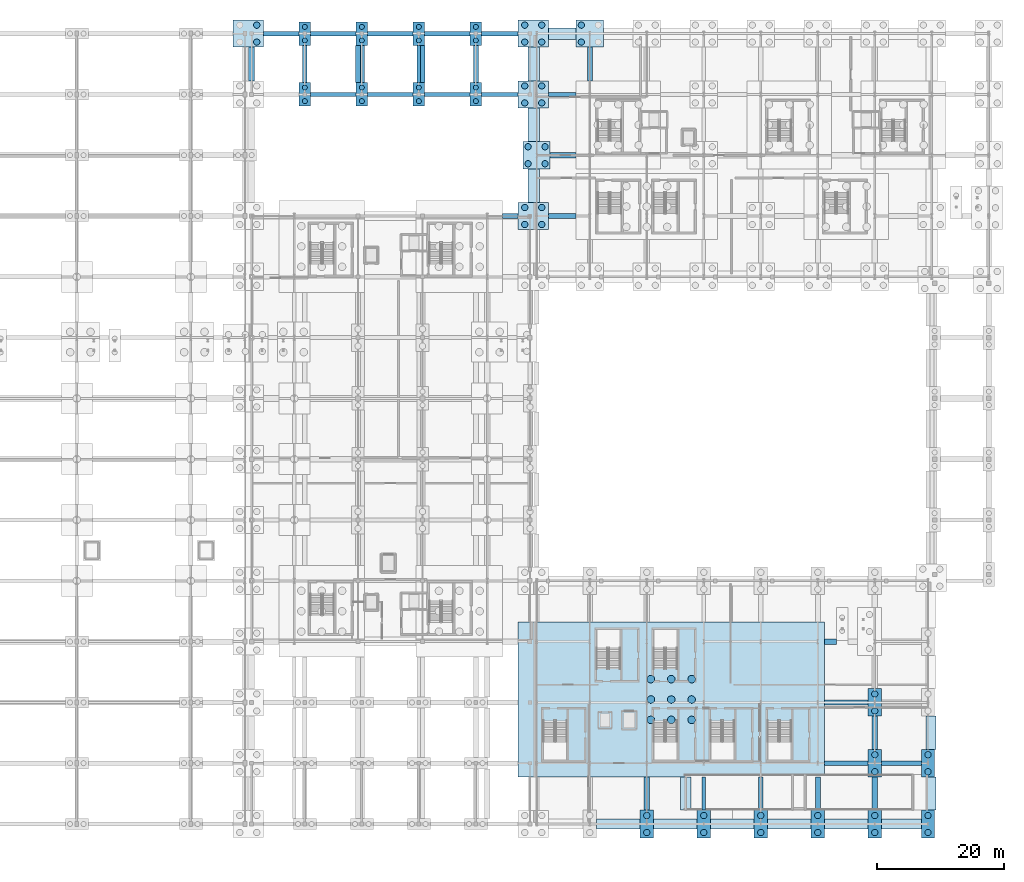
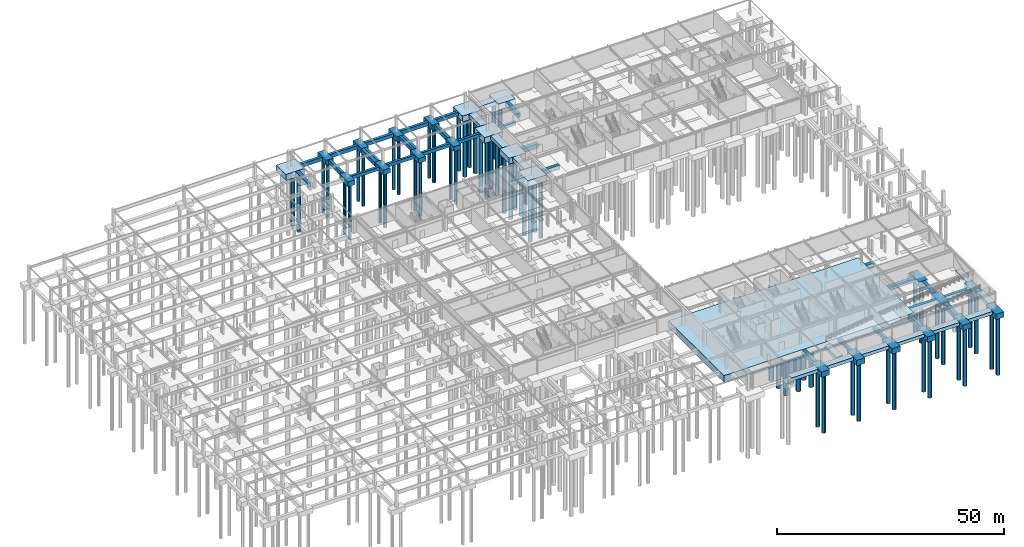
# One storey, part 7 of 59: 68 footings, 63 piles.
"""IFC4 building model written with IfcOpenShell, lengths in metres."""

from ifc_helpers import new_model, si_unit, direction, frame, origin, origin_2d, place, context, subcontext, project, spatial, rectangle, circle, extrude, material, material_profile, profile_set, type_object, element, save


model = new_model("IFC4")

# Units and contexts
model_context = context("Model", 3, precision=1e-05, world=origin(), true_north=direction((0.0, 1.0)))
body_context = subcontext(model_context, "Body", "Model", "MODEL_VIEW")
ifc_project = project(units=[si_unit("LENGTHUNIT", "METRE"), si_unit("AREAUNIT", "SQUARE_METRE"), si_unit("VOLUMEUNIT", "CUBIC_METRE"), si_unit("PLANEANGLEUNIT", "RADIAN"), si_unit("MASSUNIT", "GRAM", prefix="KILO")], contexts=[model_context])

# Site, building, storey
site_placement = place(None, origin())
site = spatial("IfcSite", under=ifc_project, at=site_placement, CompositionType="ELEMENT")
building_placement = place(site_placement, origin())
building = spatial("IfcBuilding", under=site, at=building_placement, Name="Myrtia Square Station", CompositionType="ELEMENT")
storey_placement = place(building_placement, frame((0.0, 0.0, -4.5)))
storey = spatial("IfcBuildingStorey", under=building, at=storey_placement, Name="B01", CompositionType="ELEMENT", Elevation=-4.5)

# Footings
ifc_material = material(Name="Concrete C35/45", Category="concrete")
ifc_material_profile_1 = material_profile(ifc_material, rectangle(XDim=0.60009765625, YDim=0.89990234375, at=origin_2d()), Name="FB 600x900")
ifc_profile_set_1 = profile_set([ifc_material_profile_1], Name="Concrete C35/45")
footing_type_1 = type_object("IfcFootingType", Name="FBM-600x900", PredefinedType="FOOTING_BEAM", material=ifc_profile_set_1)
for number, where, z_axis, x_axis, name in (
    (1, (81.919921875, 115.199951171875, -0.449951171875), (1.0, 0.0, 0.0), (0.0, 1.0, 0.0), "Seismic foundation tie beam X-0136"),
    (2, (90.919921875, 115.199951171875, -0.449951171875), (1.0, 0.0, 0.0), (0.0, 1.0, 0.0), "Seismic foundation tie beam X-0137"),
    (3, (99.919921875, 115.199951171875, -0.449951171875), (1.0, 0.0, 0.0), (0.0, 1.0, 0.0), "Seismic foundation tie beam X-0138"),
):
    element("IfcFooting", number, at=place(storey_placement, frame(where, z_axis=z_axis, x_axis=x_axis)), inside=storey, type_object=footing_type_1, Name=name, PredefinedType="FOOTING_BEAM", context=body_context, shape_type="SweptSolid", body=[
        extrude(rectangle(XDim=0.60009765625, YDim=0.89990234375, at=origin_2d()), origin(), (0.0, 0.0, 1.0), 7.16015625),
    ])
footing_1_placement = place(storey_placement, frame((108.919921875, 115.199951171875, -0.449951171875), z_axis=(1.0, 0.0, 0.0), x_axis=(0.0, 1.0, 0.0)))
element("IfcFooting", 4, at=footing_1_placement, inside=storey, type_object=footing_type_1, Name="Seismic foundation tie beam X-0139", PredefinedType="FOOTING_BEAM", context=body_context, shape_type="SweptSolid", body=[
    extrude(rectangle(XDim=0.60009765625, YDim=0.89990234375, at=origin_2d()), origin(), (0.0, 0.0, 1.0), 5.755126953125),
])
footing_2_placement = place(storey_placement, frame((119.47509765625, 115.199951171875, -0.449951171875), z_axis=(1.0, 0.0, 0.0), x_axis=(0.0, 1.0, 0.0)))
element("IfcFooting", 5, at=footing_2_placement, inside=storey, type_object=footing_type_1, Name="Seismic foundation tie beam X-0140", PredefinedType="FOOTING_BEAM", context=body_context, shape_type="SweptSolid", body=[
    extrude(rectangle(XDim=0.60009765625, YDim=0.89990234375, at=origin_2d()), origin(), (0.0, 0.0, 1.0), 4.375),
])
footing_3_placement = place(storey_placement, frame((99.0, 117.06005859375, -0.449951171875), z_axis=(0.0, 1.0, 0.0), x_axis=(-1.0, 0.0, 0.0)))
element("IfcFooting", 6, at=footing_3_placement, inside=storey, type_object=footing_type_1, Name="Seismic foundation tie beam Y-0270", PredefinedType="FOOTING_BEAM", context=body_context, shape_type="SweptSolid", body=[
    extrude(rectangle(XDim=0.60009765625, YDim=0.89990234375, at=origin_2d()), origin(), (0.0, 0.0, 1.0), 5.8798828125),
])
footing_4_placement = place(storey_placement, frame((144.0, 2.179931640625, -0.449951171875), z_axis=(0.0, 1.0, 0.0), x_axis=(-1.0, 0.0, 0.0)))
element("IfcFooting", 7, at=footing_4_placement, inside=storey, type_object=footing_type_1, Name="Seismic foundation tie beam Y-0315", PredefinedType="FOOTING_BEAM", context=body_context, shape_type="SweptSolid", body=[
    extrude(rectangle(XDim=0.60009765625, YDim=0.89990234375, at=origin_2d()), origin(), (0.0, 0.0, 1.0), 5.239990234375),
])
ifc_material_profile_2 = material_profile(ifc_material, rectangle(XDim=0.699951171875, YDim=1.0, at=origin_2d()), Name="FB 700x1000")
ifc_profile_set_2 = profile_set([ifc_material_profile_2], Name="Concrete C35/45")
footing_type_2 = type_object("IfcFootingType", Name="FBM-700x1000", PredefinedType="FOOTING_BEAM", material=ifc_profile_set_2)
footing_5_placement = place(storey_placement, frame((163.050048828125, 9.60009765625, -0.5), z_axis=(1.0, 0.0, 0.0), x_axis=(0.0, 1.0, 0.0)))
element("IfcFooting", 8, at=footing_5_placement, inside=storey, type_object=footing_type_2, Name="Seismic foundation tie beam X-0019", PredefinedType="FOOTING_BEAM", context=body_context, shape_type="SweptSolid", body=[
    extrude(rectangle(XDim=0.699951171875, YDim=1.0, at=origin_2d()), origin(), (0.0, 0.0, 1.0), 6.89990234375),
])
footing_6_placement = place(storey_placement, frame((172.050048828125, 9.60009765625, -0.5), z_axis=(1.0, 0.0, 0.0), x_axis=(0.0, 1.0, 0.0)))
element("IfcFooting", 9, at=footing_6_placement, inside=storey, type_object=footing_type_2, Name="Seismic foundation tie beam X-0020", PredefinedType="FOOTING_BEAM", context=body_context, shape_type="SweptSolid", body=[
    extrude(rectangle(XDim=0.699951171875, YDim=1.0, at=origin_2d()), origin(), (0.0, 0.0, 1.0), 6.300048828125),
])
footing_7_placement = place(storey_placement, frame((74.47509765625, 124.800048828125, -0.5), z_axis=(1.0, 0.0, 0.0), x_axis=(0.0, 1.0, 0.0)))
element("IfcFooting", 10, at=footing_7_placement, inside=storey, type_object=footing_type_2, Name="Seismic foundation tie beam X-0148", PredefinedType="FOOTING_BEAM", context=body_context, shape_type="SweptSolid", body=[
    extrude(rectangle(XDim=0.699951171875, YDim=1.0, at=origin_2d()), origin(), (0.0, 0.0, 1.0), 5.60498046875),
])
for number, where, z_axis, x_axis, name in (
    (11, (81.919921875, 124.800048828125, -0.5), (1.0, 0.0, 0.0), (0.0, 1.0, 0.0), "Seismic foundation tie beam X-0149"),
    (12, (90.919921875, 124.800048828125, -0.5), (1.0, 0.0, 0.0), (0.0, 1.0, 0.0), "Seismic foundation tie beam X-0150"),
    (13, (99.919921875, 124.800048828125, -0.5), (1.0, 0.0, 0.0), (0.0, 1.0, 0.0), "Seismic foundation tie beam X-0151"),
):
    element("IfcFooting", number, at=place(storey_placement, frame(where, z_axis=z_axis, x_axis=x_axis)), inside=storey, type_object=footing_type_2, Name=name, PredefinedType="FOOTING_BEAM", context=body_context, shape_type="SweptSolid", body=[
        extrude(rectangle(XDim=0.699951171875, YDim=1.0, at=origin_2d()), origin(), (0.0, 0.0, 1.0), 7.16015625),
    ])
footing_8_placement = place(storey_placement, frame((108.919921875, 124.800048828125, -0.5), z_axis=(1.0, 0.0, 0.0), x_axis=(0.0, 1.0, 0.0)))
element("IfcFooting", 14, at=footing_8_placement, inside=storey, type_object=footing_type_2, Name="Seismic foundation tie beam X-0152", PredefinedType="FOOTING_BEAM", context=body_context, shape_type="SweptSolid", body=[
    extrude(rectangle(XDim=0.699951171875, YDim=1.0, at=origin_2d()), origin(), (0.0, 0.0, 1.0), 5.755126953125),
])
for number, where, z_axis, x_axis, name in (
    (15, (81.0, 117.06005859375, -0.5), (0.0, 1.0, 0.0), (-1.0, 0.0, 0.0), "Seismic foundation tie beam Y-0243"),
    (16, (99.60009765625, 117.06005859375, -0.5), (0.0, 1.0, 0.0), (-1.0, 0.0, 0.0), "Seismic foundation tie beam Y-0279"),
):
    element("IfcFooting", number, at=place(storey_placement, frame(where, z_axis=z_axis, x_axis=x_axis)), inside=storey, type_object=footing_type_2, Name=name, PredefinedType="FOOTING_BEAM", context=body_context, shape_type="SweptSolid", body=[
        extrude(rectangle(XDim=0.699951171875, YDim=1.0, at=origin_2d()), origin(), (0.0, 0.0, 1.0), 5.8798828125),
    ])
footing_9_placement = place(storey_placement, frame((153.0, 2.179931640625, -0.5), z_axis=(0.0, 1.0, 0.0), x_axis=(-1.0, 0.0, 0.0)))
element("IfcFooting", 17, at=footing_9_placement, inside=storey, type_object=footing_type_2, Name="Seismic foundation tie beam Y-0320", PredefinedType="FOOTING_BEAM", context=body_context, shape_type="SweptSolid", body=[
    extrude(rectangle(XDim=0.699951171875, YDim=1.0, at=origin_2d()), origin(), (0.0, 0.0, 1.0), 5.239990234375),
])
ifc_material_profile_3 = material_profile(ifc_material, rectangle(XDim=0.800048828125, YDim=1.10009765625, at=origin_2d()), Name="FB 800x1100")
ifc_profile_set_3 = profile_set([ifc_material_profile_3], Name="Concrete C35/45")
footing_type_3 = type_object("IfcFootingType", Name="FBM-800x1100", PredefinedType="FOOTING_BEAM", material=ifc_profile_set_3)
footing_10_placement = place(storey_placement, frame((163.050048828125, 19.199951171875, -0.550048828125), z_axis=(1.0, 0.0, 0.0), x_axis=(0.0, 1.0, 0.0)))
element("IfcFooting", 18, at=footing_10_placement, inside=storey, type_object=footing_type_3, Name="Seismic foundation tie beam X-0031", PredefinedType="FOOTING_BEAM", context=body_context, shape_type="SweptSolid", body=[
    extrude(rectangle(XDim=0.800048828125, YDim=1.10009765625, at=origin_2d()), origin(), (0.0, 0.0, 1.0), 6.89990234375),
])
footing_11_placement = place(storey_placement, frame((112.25, 96.0, -0.550048828125), z_axis=(1.0, 0.0, 0.0), x_axis=(0.0, 1.0, 0.0)))
element("IfcFooting", 19, at=footing_11_placement, inside=storey, type_object=footing_type_3, Name="Seismic foundation tie beam X-0114", PredefinedType="FOOTING_BEAM", context=body_context, shape_type="SweptSolid", body=[
    extrude(rectangle(XDim=0.800048828125, YDim=1.10009765625, at=origin_2d()), origin(), (0.0, 0.0, 1.0), 2.425048828125),
])
footing_12_placement = place(storey_placement, frame((119.47509765625, 96.0, -0.550048828125), z_axis=(1.0, 0.0, 0.0), x_axis=(0.0, 1.0, 0.0)))
element("IfcFooting", 20, at=footing_12_placement, inside=storey, type_object=footing_type_3, Name="Seismic foundation tie beam X-0115", PredefinedType="FOOTING_BEAM", context=body_context, shape_type="SweptSolid", body=[
    extrude(rectangle(XDim=0.800048828125, YDim=1.10009765625, at=origin_2d()), origin(), (0.0, 0.0, 1.0), 4.375),
])
for number, where, z_axis, x_axis, name in (
    (21, (89.39990234375, 117.06005859375, -0.550048828125), (0.0, 1.0, 0.0), (-1.0, 0.0, 0.0), "Seismic foundation tie beam Y-0252"),
    (22, (108.0, 117.06005859375, -0.550048828125), (0.0, 1.0, 0.0), (-1.0, 0.0, 0.0), "Seismic foundation tie beam Y-0288"),
):
    element("IfcFooting", number, at=place(storey_placement, frame(where, z_axis=z_axis, x_axis=x_axis)), inside=storey, type_object=footing_type_3, Name=name, PredefinedType="FOOTING_BEAM", context=body_context, shape_type="SweptSolid", body=[
        extrude(rectangle(XDim=0.800048828125, YDim=1.10009765625, at=origin_2d()), origin(), (0.0, 0.0, 1.0), 5.8798828125),
    ])
footing_13_placement = place(storey_placement, frame((126.0, 117.35009765625, -0.550048828125), z_axis=(0.0, 1.0, 0.0), x_axis=(-1.0, 0.0, 0.0)))
element("IfcFooting", 23, at=footing_13_placement, inside=storey, type_object=footing_type_3, Name="Seismic foundation tie beam Y-0310", PredefinedType="FOOTING_BEAM", context=body_context, shape_type="SweptSolid", body=[
    extrude(rectangle(XDim=0.800048828125, YDim=1.10009765625, at=origin_2d()), origin(), (0.0, 0.0, 1.0), 5.2998046875),
])
footing_14_placement = place(storey_placement, frame((162.0, 2.179931640625, -0.550048828125), z_axis=(0.0, 1.0, 0.0), x_axis=(-1.0, 0.0, 0.0)))
element("IfcFooting", 24, at=footing_14_placement, inside=storey, type_object=footing_type_3, Name="Seismic foundation tie beam Y-0325", PredefinedType="FOOTING_BEAM", context=body_context, shape_type="SweptSolid", body=[
    extrude(rectangle(XDim=0.800048828125, YDim=1.10009765625, at=origin_2d()), origin(), (0.0, 0.0, 1.0), 5.239990234375),
])
ifc_material_profile_4 = material_profile(ifc_material, rectangle(XDim=0.89990234375, YDim=1.199951171875, at=origin_2d()), Name="FB 900x1200")
ifc_profile_set_4 = profile_set([ifc_material_profile_4], Name="Concrete C35/45")
footing_type_4 = type_object("IfcFootingType", Name="FBM-900x1200", PredefinedType="FOOTING_BEAM", material=ifc_profile_set_4)
footing_15_placement = place(storey_placement, frame((163.050048828125, 28.800048828125, -0.60009765625), z_axis=(1.0, 0.0, 0.0), x_axis=(0.0, 1.0, 0.0)))
element("IfcFooting", 25, at=footing_15_placement, inside=storey, type_object=footing_type_4, Name="Seismic foundation tie beam X-0040", PredefinedType="FOOTING_BEAM", context=body_context, shape_type="SweptSolid", body=[
    extrude(rectangle(XDim=0.89990234375, YDim=1.199951171875, at=origin_2d()), origin(), (0.0, 0.0, 1.0), 1.8798828125),
])
footing_16_placement = place(storey_placement, frame((119.75, 105.60009765625, -0.60009765625), z_axis=(1.0, 0.0, 0.0), x_axis=(0.0, 1.0, 0.0)))
element("IfcFooting", 26, at=footing_16_placement, inside=storey, type_object=footing_type_4, Name="Seismic foundation tie beam X-0125", PredefinedType="FOOTING_BEAM", context=body_context, shape_type="SweptSolid", body=[
    extrude(rectangle(XDim=0.89990234375, YDim=1.199951171875, at=origin_2d()), origin(), (0.0, 0.0, 1.0), 4.10009765625),
])
footing_17_placement = place(storey_placement, frame((72.60009765625, 117.35009765625, -0.60009765625), z_axis=(0.0, 1.0, 0.0), x_axis=(-1.0, 0.0, 0.0)))
element("IfcFooting", 27, at=footing_17_placement, inside=storey, type_object=footing_type_4, Name="Seismic foundation tie beam Y-0226", PredefinedType="FOOTING_BEAM", context=body_context, shape_type="SweptSolid", body=[
    extrude(rectangle(XDim=0.89990234375, YDim=1.199951171875, at=origin_2d()), origin(), (0.0, 0.0, 1.0), 5.2998046875),
])
footing_18_placement = place(storey_placement, frame((90.0, 117.06005859375, -0.60009765625), z_axis=(0.0, 1.0, 0.0), x_axis=(-1.0, 0.0, 0.0)))
element("IfcFooting", 28, at=footing_18_placement, inside=storey, type_object=footing_type_4, Name="Seismic foundation tie beam Y-0261", PredefinedType="FOOTING_BEAM", context=body_context, shape_type="SweptSolid", body=[
    extrude(rectangle(XDim=0.89990234375, YDim=1.199951171875, at=origin_2d()), origin(), (0.0, 0.0, 1.0), 5.8798828125),
])
for number, where, z_axis, x_axis, name in (
    (29, (135.0, 2.179931640625, -0.60009765625), (0.0, 1.0, 0.0), (-1.0, 0.0, 0.0), "Seismic foundation tie beam Y-0311"),
    (30, (171.0, 2.179931640625, -0.60009765625), (0.0, 1.0, 0.0), (-1.0, 0.0, 0.0), "Seismic foundation tie beam Y-0329"),
    (31, (171.0, 11.780029296875, -0.60009765625), (0.0, 1.0, 0.0), (-1.0, 0.0, 0.0), "Seismic foundation tie beam Y-0330"),
):
    element("IfcFooting", number, at=place(storey_placement, frame(where, z_axis=z_axis, x_axis=x_axis)), inside=storey, type_object=footing_type_4, Name=name, PredefinedType="FOOTING_BEAM", context=body_context, shape_type="SweptSolid", body=[
        extrude(rectangle(XDim=0.89990234375, YDim=1.199951171875, at=origin_2d()), origin(), (0.0, 0.0, 1.0), 5.239990234375),
    ])
footing_type_5 = type_object("IfcFootingType", Name="FCAP-184x372x130", PredefinedType="PILE_CAP", material=ifc_material)
for number, where, z_axis, x_axis, name in (
    (32, (81.0, 115.199951171875, -1.2998046875), (0.0, 0.0, 1.0), (1.0, 0.0, 0.0), "Reinforced concrete pile cap CAP-L2Y-200"),
    (33, (81.0, 124.800048828125, -1.2998046875), (0.0, 0.0, 1.0), (1.0, 0.0, 0.0), "Reinforced concrete pile cap CAP-L2Y-201"),
    (34, (90.0, 115.199951171875, -1.2998046875), (0.0, 0.0, 1.0), (1.0, 0.0, 0.0), "Reinforced concrete pile cap CAP-L2Y-202"),
    (35, (90.0, 124.800048828125, -1.2998046875), (0.0, 0.0, 1.0), (1.0, 0.0, 0.0), "Reinforced concrete pile cap CAP-L2Y-203"),
    (36, (99.0, 115.199951171875, -1.2998046875), (0.0, 0.0, 1.0), (1.0, 0.0, 0.0), "Reinforced concrete pile cap CAP-L2Y-204"),
    (37, (99.0, 124.800048828125, -1.2998046875), (0.0, 0.0, 1.0), (1.0, 0.0, 0.0), "Reinforced concrete pile cap CAP-L2Y-205"),
    (38, (108.0, 115.199951171875, -1.2998046875), (0.0, 0.0, 1.0), (1.0, 0.0, 0.0), "Reinforced concrete pile cap CAP-L2Y-206"),
    (39, (108.0, 124.800048828125, -1.2998046875), (0.0, 0.0, 1.0), (1.0, 0.0, 0.0), "Reinforced concrete pile cap CAP-L2Y-207"),
):
    element("IfcFooting", number, at=place(storey_placement, frame(where, z_axis=z_axis, x_axis=x_axis)), inside=storey, type_object=footing_type_5, Name=name, PredefinedType="PILE_CAP", context=body_context, shape_type="SweptSolid", body=[
        extrude(rectangle(XDim=1.840087890625, YDim=3.719970703125, at=origin_2d()), origin(), (0.0, 0.0, 1.0), 1.300048828125),
    ])
footing_type_6 = type_object("IfcFootingType", Name="FCAP-210x436x145", PredefinedType="PILE_CAP", material=ifc_material)
for number, where, z_axis, x_axis, name in (
    (40, (135.0, 0.0, -1.4501953125), (0.0, 0.0, 1.0), (1.0, 0.0, 0.0), "Reinforced concrete pile cap CAP-M2Y-168"),
    (41, (144.0, 0.0, -1.4501953125), (0.0, 0.0, 1.0), (1.0, 0.0, 0.0), "Reinforced concrete pile cap CAP-M2Y-173"),
    (42, (153.0, 0.0, -1.4501953125), (0.0, 0.0, 1.0), (1.0, 0.0, 0.0), "Reinforced concrete pile cap CAP-M2Y-178"),
    (43, (162.0, 0.0, -1.4501953125), (0.0, 0.0, 1.0), (1.0, 0.0, 0.0), "Reinforced concrete pile cap CAP-M2Y-183"),
    (44, (171.0, 0.0, -1.4501953125), (0.0, 0.0, 1.0), (1.0, 0.0, 0.0), "Reinforced concrete pile cap CAP-M2Y-188"),
    (45, (171.0, 9.60009765625, -1.4501953125), (0.0, 0.0, 1.0), (1.0, 0.0, 0.0), "Reinforced concrete pile cap CAP-M2Y-189"),
    (46, (171.0, 19.199951171875, -1.4501953125), (0.0, 0.0, 1.0), (1.0, 0.0, 0.0), "Reinforced concrete pile cap CAP-M2Y-190"),
    (47, (179.39990234375, 0.0, -1.4501953125), (0.0, 0.0, 1.0), (1.0, 0.0, 0.0), "Reinforced concrete pile cap CAP-M2Y-193"),
    (48, (179.39990234375, 9.60009765625, -1.4501953125), (0.0, 0.0, 1.0), (1.0, 0.0, 0.0), "Reinforced concrete pile cap CAP-M2Y-194"),
):
    element("IfcFooting", number, at=place(storey_placement, frame(where, z_axis=z_axis, x_axis=x_axis)), inside=storey, type_object=footing_type_6, Name=name, PredefinedType="PILE_CAP", context=body_context, shape_type="SweptSolid", body=[
        extrude(rectangle(XDim=2.10009765625, YDim=4.360107421875, at=origin_2d()), origin(), (0.0, 0.0, 1.0), 1.449951171875),
    ])
footing_type_7 = type_object("IfcFootingType", Name="FCAP-430x430x155", PredefinedType="PILE_CAP", material=ifc_material)
for number, where, z_axis, x_axis, name in (
    (49, (117.60009765625, 105.60009765625, -1.5498046875), (0.0, 0.0, 1.0), (1.0, 0.0, 0.0), "Reinforced concrete pile cap CAP-M4-212"),
    (50, (126.0, 124.800048828125, -1.5498046875), (0.0, 0.0, 1.0), (1.0, 0.0, 0.0), "Reinforced concrete pile cap CAP-M4-219"),
):
    element("IfcFooting", number, at=place(storey_placement, frame(where, z_axis=z_axis, x_axis=x_axis)), inside=storey, type_object=footing_type_7, Name=name, PredefinedType="PILE_CAP", context=body_context, shape_type="SweptSolid", body=[
        extrude(rectangle(XDim=4.300048828125, YDim=4.300048828125, at=origin_2d()), origin(), (0.0, 0.0, 1.0), 1.550048828125),
    ])
footing_type_8 = type_object("IfcFootingType", Name="FCAP-480x430x160", PredefinedType="PILE_CAP", material=ifc_material)
for number, where, z_axis, x_axis, name in (
    (51, (72.074951171875, 124.800048828125, -1.60009765625), (0.0, 0.0, 1.0), (1.0, 0.0, 0.0), "Reinforced concrete pile cap CAP-JT-079"),
    (52, (117.074951171875, 96.0, -1.60009765625), (0.0, 0.0, 1.0), (1.0, 0.0, 0.0), "Reinforced concrete pile cap CAP-JT-109"),
    (53, (117.074951171875, 115.199951171875, -1.60009765625), (0.0, 0.0, 1.0), (1.0, 0.0, 0.0), "Reinforced concrete pile cap CAP-JT-208"),
    (54, (117.074951171875, 124.800048828125, -1.60009765625), (0.0, 0.0, 1.0), (1.0, 0.0, 0.0), "Reinforced concrete pile cap CAP-JT-209"),
):
    element("IfcFooting", number, at=place(storey_placement, frame(where, z_axis=z_axis, x_axis=x_axis)), inside=storey, type_object=footing_type_8, Name=name, PredefinedType="PILE_CAP", context=body_context, shape_type="SweptSolid", body=[
        extrude(rectangle(XDim=4.800048828125, YDim=4.300048828125, at=origin_2d()), origin(), (0.0, 0.0, 1.0), 1.60009765625),
    ])
footing_type_9 = type_object("IfcFootingType", Name="FCAP-4838x2448x180", PredefinedType="PILE_CAP", material=ifc_material)
footing_19_placement = place(storey_placement, frame((138.862548828125, 19.659912109375, -1.7998046875), z_axis=(0.0, 0.0, 1.0), x_axis=(1.0, 0.0, 0.0)))
element("IfcFooting", 55, at=footing_19_placement, inside=storey, type_object=footing_type_9, Name="Reinforced concrete pile cap CAP-CORE-K5", PredefinedType="PILE_CAP", context=body_context, shape_type="SweptSolid", body=[
    extrude(rectangle(XDim=48.375, YDim=24.47998046875, at=origin_2d()), origin(), (0.0, 0.0, 1.0), 1.800048828125),
])
footing_type_10 = type_object("IfcFootingType", Name="PAD-1600x900", PredefinedType="PAD_FOOTING", material=ifc_material)
footing_20_placement = place(storey_placement, frame((141.14990234375, 4.800048828125, -1.800048828125), z_axis=(0.0, 0.0, 1.0), x_axis=(1.0, 0.0, 0.0)))
element("IfcFooting", 56, at=footing_20_placement, inside=storey, type_object=footing_type_10, Name="Vehicle ramp VR1 toe foundation", PredefinedType="PAD_FOOTING", context=body_context, shape_type="SweptSolid", body=[
    extrude(rectangle(XDim=1.60009765625, YDim=5.219970703125, at=origin_2d()), origin(), (0.0, 0.0, 1.0), 0.89990234375),
])

# Piles
ifc_material_profile_5 = material_profile(ifc_material, circle(Radius=0.5, at=origin_2d()), Name="BP D1000")
ifc_profile_set_5 = profile_set([ifc_material_profile_5], Name="Concrete C35/45")
pile_type_1 = type_object("IfcPileType", Name="PIL-BP1000", PredefinedType="BORED", material=ifc_profile_set_5)
for number, where, z_axis, x_axis, name in (
    (57, (73.4150390625, 123.4599609375, -1.5), (0.0, 0.0, -1.0), (1.0, 0.0, 0.0), "Bored pile 0265"),
    (58, (73.4150390625, 126.139892578125, -1.5), (0.0, 0.0, -1.0), (1.0, 0.0, 0.0), "Bored pile 0266"),
    (59, (115.735107421875, 94.659912109375, -1.5), (0.0, 0.0, -1.0), (1.0, 0.0, 0.0), "Bored pile 0297"),
    (60, (115.735107421875, 97.340087890625, -1.5), (0.0, 0.0, -1.0), (1.0, 0.0, 0.0), "Bored pile 0298"),
    (61, (118.4150390625, 94.659912109375, -1.5), (0.0, 0.0, -1.0), (1.0, 0.0, 0.0), "Bored pile 0299"),
    (62, (118.4150390625, 97.340087890625, -1.5), (0.0, 0.0, -1.0), (1.0, 0.0, 0.0), "Bored pile 0300"),
):
    element("IfcPile", number, at=place(storey_placement, frame(where, z_axis=z_axis, x_axis=x_axis)), inside=storey, type_object=pile_type_1, Name=name, PredefinedType="BORED", context=body_context, shape_type="SweptSolid", body=[
        extrude(circle(Radius=0.5, at=origin_2d()), origin(), (0.0, 0.0, 1.0), 15.5),
    ])
for number, where, z_axis, x_axis, name in (
    (63, (135.0, -1.340087890625, -1.35009765625), (0.0, 0.0, -1.0), (1.0, 0.0, 0.0), "Bored pile 0379"),
    (64, (135.0, 1.340087890625, -1.35009765625), (0.0, 0.0, -1.0), (1.0, 0.0, 0.0), "Bored pile 0380"),
    (65, (144.0, -1.340087890625, -1.35009765625), (0.0, 0.0, -1.0), (1.0, 0.0, 0.0), "Bored pile 0383"),
    (66, (144.0, 1.340087890625, -1.35009765625), (0.0, 0.0, -1.0), (1.0, 0.0, 0.0), "Bored pile 0384"),
    (67, (153.0, -1.340087890625, -1.35009765625), (0.0, 0.0, -1.0), (1.0, 0.0, 0.0), "Bored pile 0387"),
    (68, (153.0, 1.340087890625, -1.35009765625), (0.0, 0.0, -1.0), (1.0, 0.0, 0.0), "Bored pile 0388"),
    (69, (162.0, -1.340087890625, -1.35009765625), (0.0, 0.0, -1.0), (1.0, 0.0, 0.0), "Bored pile 0391"),
    (70, (162.0, 1.340087890625, -1.35009765625), (0.0, 0.0, -1.0), (1.0, 0.0, 0.0), "Bored pile 0392"),
    (71, (171.0, -1.340087890625, -1.35009765625), (0.0, 0.0, -1.0), (1.0, 0.0, 0.0), "Bored pile 0395"),
    (72, (171.0, 1.340087890625, -1.35009765625), (0.0, 0.0, -1.0), (1.0, 0.0, 0.0), "Bored pile 0396"),
    (73, (171.0, 8.260009765625, -1.35009765625), (0.0, 0.0, -1.0), (1.0, 0.0, 0.0), "Bored pile 0397"),
    (74, (171.0, 10.93994140625, -1.35009765625), (0.0, 0.0, -1.0), (1.0, 0.0, 0.0), "Bored pile 0398"),
    (75, (171.0, 17.860107421875, -1.35009765625), (0.0, 0.0, -1.0), (1.0, 0.0, 0.0), "Bored pile 0399"),
    (76, (171.0, 20.5400390625, -1.35009765625), (0.0, 0.0, -1.0), (1.0, 0.0, 0.0), "Bored pile 0400"),
    (77, (179.39990234375, -1.340087890625, -1.35009765625), (0.0, 0.0, -1.0), (1.0, 0.0, 0.0), "Bored pile 0406"),
    (78, (179.39990234375, 1.340087890625, -1.35009765625), (0.0, 0.0, -1.0), (1.0, 0.0, 0.0), "Bored pile 0407"),
    (79, (179.39990234375, 8.260009765625, -1.35009765625), (0.0, 0.0, -1.0), (1.0, 0.0, 0.0), "Bored pile 0408"),
    (80, (179.39990234375, 10.93994140625, -1.35009765625), (0.0, 0.0, -1.0), (1.0, 0.0, 0.0), "Bored pile 0409"),
):
    element("IfcPile", number, at=place(storey_placement, frame(where, z_axis=z_axis, x_axis=x_axis)), inside=storey, type_object=pile_type_1, Name=name, PredefinedType="BORED", context=body_context, shape_type="SweptSolid", body=[
        extrude(circle(Radius=0.5, at=origin_2d()), origin(), (0.0, 0.0, 1.0), 15.64990234375),
    ])
for number, where, z_axis, x_axis, name in (
    (81, (115.735107421875, 113.860107421875, -1.5), (0.0, 0.0, -1.0), (1.0, 0.0, 0.0), "Bored pile 0430"),
    (82, (115.735107421875, 116.5400390625, -1.5), (0.0, 0.0, -1.0), (1.0, 0.0, 0.0), "Bored pile 0431"),
    (83, (118.4150390625, 113.860107421875, -1.5), (0.0, 0.0, -1.0), (1.0, 0.0, 0.0), "Bored pile 0432"),
    (84, (118.4150390625, 116.5400390625, -1.5), (0.0, 0.0, -1.0), (1.0, 0.0, 0.0), "Bored pile 0433"),
    (85, (115.735107421875, 123.4599609375, -1.5), (0.0, 0.0, -1.0), (1.0, 0.0, 0.0), "Bored pile 0434"),
    (86, (115.735107421875, 126.139892578125, -1.5), (0.0, 0.0, -1.0), (1.0, 0.0, 0.0), "Bored pile 0435"),
    (87, (118.4150390625, 123.4599609375, -1.5), (0.0, 0.0, -1.0), (1.0, 0.0, 0.0), "Bored pile 0436"),
    (88, (118.4150390625, 126.139892578125, -1.5), (0.0, 0.0, -1.0), (1.0, 0.0, 0.0), "Bored pile 0437"),
):
    element("IfcPile", number, at=place(storey_placement, frame(where, z_axis=z_axis, x_axis=x_axis)), inside=storey, type_object=pile_type_1, Name=name, PredefinedType="BORED", context=body_context, shape_type="SweptSolid", body=[
        extrude(circle(Radius=0.5, at=origin_2d()), origin(), (0.0, 0.0, 1.0), 15.5),
    ])
for number, where, z_axis, x_axis, name in (
    (89, (116.260009765625, 104.260009765625, -1.449951171875), (0.0, 0.0, -1.0), (1.0, 0.0, 0.0), "Bored pile 0438"),
    (90, (116.260009765625, 106.93994140625, -1.449951171875), (0.0, 0.0, -1.0), (1.0, 0.0, 0.0), "Bored pile 0439"),
    (91, (118.93994140625, 104.260009765625, -1.449951171875), (0.0, 0.0, -1.0), (1.0, 0.0, 0.0), "Bored pile 0440"),
    (92, (118.93994140625, 106.93994140625, -1.449951171875), (0.0, 0.0, -1.0), (1.0, 0.0, 0.0), "Bored pile 0441"),
    (93, (124.659912109375, 123.4599609375, -1.449951171875), (0.0, 0.0, -1.0), (1.0, 0.0, 0.0), "Bored pile 0446"),
    (94, (124.659912109375, 126.139892578125, -1.449951171875), (0.0, 0.0, -1.0), (1.0, 0.0, 0.0), "Bored pile 0447"),
):
    element("IfcPile", number, at=place(storey_placement, frame(where, z_axis=z_axis, x_axis=x_axis)), inside=storey, type_object=pile_type_1, Name=name, PredefinedType="BORED", context=body_context, shape_type="SweptSolid", body=[
        extrude(circle(Radius=0.5, at=origin_2d()), origin(), (0.0, 0.0, 1.0), 15.550048828125),
    ])
ifc_material_profile_6 = material_profile(ifc_material, circle(Radius=0.60009765625, at=origin_2d()), Name="BP D1200")
ifc_profile_set_6 = profile_set([ifc_material_profile_6], Name="Concrete C35/45")
pile_type_2 = type_object("IfcPileType", Name="PIL-BP1200", PredefinedType="BORED", material=ifc_profile_set_6)
for number, where, z_axis, x_axis, name in (
    (95, (135.646484375, 16.444091796875, -1.699951171875), (0.0, 0.0, -1.0), (1.0, 0.0, 0.0), "Bored pile 0037"),
    (96, (135.646484375, 19.659912109375, -1.699951171875), (0.0, 0.0, -1.0), (1.0, 0.0, 0.0), "Bored pile 0038"),
    (97, (135.646484375, 22.8759765625, -1.699951171875), (0.0, 0.0, -1.0), (1.0, 0.0, 0.0), "Bored pile 0039"),
    (98, (138.862548828125, 16.444091796875, -1.699951171875), (0.0, 0.0, -1.0), (1.0, 0.0, 0.0), "Bored pile 0040"),
    (99, (138.862548828125, 19.659912109375, -1.699951171875), (0.0, 0.0, -1.0), (1.0, 0.0, 0.0), "Bored pile 0041"),
    (100, (138.862548828125, 22.8759765625, -1.699951171875), (0.0, 0.0, -1.0), (1.0, 0.0, 0.0), "Bored pile 0042"),
    (101, (142.07861328125, 16.444091796875, -1.699951171875), (0.0, 0.0, -1.0), (1.0, 0.0, 0.0), "Bored pile 0043"),
    (102, (142.07861328125, 19.659912109375, -1.699951171875), (0.0, 0.0, -1.0), (1.0, 0.0, 0.0), "Bored pile 0044"),
    (103, (142.07861328125, 22.8759765625, -1.699951171875), (0.0, 0.0, -1.0), (1.0, 0.0, 0.0), "Bored pile 0045"),
):
    element("IfcPile", number, at=place(storey_placement, frame(where, z_axis=z_axis, x_axis=x_axis)), inside=storey, type_object=pile_type_2, Name=name, PredefinedType="BORED", context=body_context, shape_type="SweptSolid", body=[
        extrude(circle(Radius=0.60009765625, at=origin_2d()), origin(), (0.0, 0.0, 1.0), 16.199951171875),
    ])
ifc_material_profile_7 = material_profile(ifc_material, circle(Radius=0.39990234375, at=origin_2d()), Name="BP D800")
ifc_profile_set_7 = profile_set([ifc_material_profile_7], Name="Concrete C35/45")
pile_type_3 = type_object("IfcPileType", Name="PIL-BP800", PredefinedType="BORED", material=ifc_profile_set_7)
for number, where, z_axis, x_axis, name in (
    (104, (81.0, 114.1279296875, -1.199951171875), (0.0, 0.0, -1.0), (1.0, 0.0, 0.0), "Bored pile 0414"),
    (105, (81.0, 116.27197265625, -1.199951171875), (0.0, 0.0, -1.0), (1.0, 0.0, 0.0), "Bored pile 0415"),
    (106, (81.0, 123.72802734375, -1.199951171875), (0.0, 0.0, -1.0), (1.0, 0.0, 0.0), "Bored pile 0416"),
    (107, (81.0, 125.8720703125, -1.199951171875), (0.0, 0.0, -1.0), (1.0, 0.0, 0.0), "Bored pile 0417"),
    (108, (90.0, 114.1279296875, -1.199951171875), (0.0, 0.0, -1.0), (1.0, 0.0, 0.0), "Bored pile 0418"),
    (109, (90.0, 116.27197265625, -1.199951171875), (0.0, 0.0, -1.0), (1.0, 0.0, 0.0), "Bored pile 0419"),
    (110, (90.0, 123.72802734375, -1.199951171875), (0.0, 0.0, -1.0), (1.0, 0.0, 0.0), "Bored pile 0420"),
    (111, (90.0, 125.8720703125, -1.199951171875), (0.0, 0.0, -1.0), (1.0, 0.0, 0.0), "Bored pile 0421"),
    (112, (99.0, 114.1279296875, -1.199951171875), (0.0, 0.0, -1.0), (1.0, 0.0, 0.0), "Bored pile 0422"),
    (113, (99.0, 116.27197265625, -1.199951171875), (0.0, 0.0, -1.0), (1.0, 0.0, 0.0), "Bored pile 0423"),
    (114, (99.0, 123.72802734375, -1.199951171875), (0.0, 0.0, -1.0), (1.0, 0.0, 0.0), "Bored pile 0424"),
    (115, (99.0, 125.8720703125, -1.199951171875), (0.0, 0.0, -1.0), (1.0, 0.0, 0.0), "Bored pile 0425"),
    (116, (108.0, 114.1279296875, -1.199951171875), (0.0, 0.0, -1.0), (1.0, 0.0, 0.0), "Bored pile 0426"),
    (117, (108.0, 116.27197265625, -1.199951171875), (0.0, 0.0, -1.0), (1.0, 0.0, 0.0), "Bored pile 0427"),
    (118, (108.0, 123.72802734375, -1.199951171875), (0.0, 0.0, -1.0), (1.0, 0.0, 0.0), "Bored pile 0428"),
    (119, (108.0, 125.8720703125, -1.199951171875), (0.0, 0.0, -1.0), (1.0, 0.0, 0.0), "Bored pile 0429"),
):
    element("IfcPile", number, at=place(storey_placement, frame(where, z_axis=z_axis, x_axis=x_axis)), inside=storey, type_object=pile_type_3, Name=name, PredefinedType="BORED", context=body_context, shape_type="SweptSolid", body=[
        extrude(circle(Radius=0.39990234375, at=origin_2d()), origin(), (0.0, 0.0, 1.0), 14.89990234375),
    ])

# Footings
footing_type_11 = type_object("IfcFootingType", Name="SF-1600x900", PredefinedType="STRIP_FOOTING", material=ifc_material)
for number, where, z_axis, x_axis, name in (
    (120, (130.5, 0.0, -0.89990234375), (0.0, 0.0, 1.0), (1.0, 0.0, 0.0), "Retaining wall strip footing 011"),
    (121, (139.5, 0.0, -0.89990234375), (0.0, 0.0, 1.0), (1.0, 0.0, 0.0), "Retaining wall strip footing 012"),
    (122, (148.5, 0.0, -0.89990234375), (0.0, 0.0, 1.0), (1.0, 0.0, 0.0), "Retaining wall strip footing 013"),
    (123, (157.5, 0.0, -0.89990234375), (0.0, 0.0, 1.0), (1.0, 0.0, 0.0), "Retaining wall strip footing 014"),
    (124, (166.5, 0.0, -0.89990234375), (0.0, 0.0, 1.0), (1.0, 0.0, 0.0), "Retaining wall strip footing 015"),
):
    element("IfcFooting", number, at=place(storey_placement, frame(where, z_axis=z_axis, x_axis=x_axis)), inside=storey, type_object=footing_type_11, Name=name, PredefinedType="STRIP_FOOTING", context=body_context, shape_type="SweptSolid", body=[
        extrude(rectangle(XDim=6.89990234375, YDim=1.60009765625, at=origin_2d()), origin(), (0.0, 0.0, 1.0), 0.89990234375),
    ])
footing_21_placement = place(storey_placement, frame((175.199951171875, 0.0, -0.89990234375), z_axis=(0.0, 0.0, 1.0), x_axis=(1.0, 0.0, 0.0)))
element("IfcFooting", 125, at=footing_21_placement, inside=storey, type_object=footing_type_11, Name="Retaining wall strip footing 016", PredefinedType="STRIP_FOOTING", context=body_context, shape_type="SweptSolid", body=[
    extrude(rectangle(XDim=6.300048828125, YDim=1.60009765625, at=origin_2d()), origin(), (0.0, 0.0, 1.0), 0.89990234375),
])
for number, where, z_axis, x_axis, name in (
    (126, (179.85009765625, 4.800048828125, -0.89990234375), (0.0, 0.0, 1.0), (1.0, 0.0, 0.0), "Retaining wall strip footing 026"),
    (127, (179.85009765625, 14.39990234375, -0.89990234375), (0.0, 0.0, 1.0), (1.0, 0.0, 0.0), "Retaining wall strip footing 027"),
):
    element("IfcFooting", number, at=place(storey_placement, frame(where, z_axis=z_axis, x_axis=x_axis)), inside=storey, type_object=footing_type_11, Name=name, PredefinedType="STRIP_FOOTING", context=body_context, shape_type="SweptSolid", body=[
        extrude(rectangle(XDim=1.60009765625, YDim=5.239990234375, at=origin_2d()), origin(), (0.0, 0.0, 1.0), 0.89990234375),
    ])
footing_type_12 = type_object("IfcFootingType", Name="SF-1800x1000", PredefinedType="STRIP_FOOTING", material=ifc_material)
footing_22_placement = place(storey_placement, frame((121.66259765625, 124.800048828125, -1.0), z_axis=(0.0, 0.0, 1.0), x_axis=(1.0, 0.0, 0.0)))
element("IfcFooting", 128, at=footing_22_placement, inside=storey, type_object=footing_type_12, Name="Retaining wall strip footing 037", PredefinedType="STRIP_FOOTING", context=body_context, shape_type="SweptSolid", body=[
    extrude(rectangle(XDim=4.375, YDim=1.800048828125, at=origin_2d()), origin(), (0.0, 0.0, 1.0), 1.0),
])
for number, where, z_axis, x_axis, name in (
    (129, (117.14990234375, 100.800048828125, -1.0), (0.0, 0.0, 1.0), (1.0, 0.0, 0.0), "Retaining wall strip footing 045"),
    (130, (117.14990234375, 110.39990234375, -1.0), (0.0, 0.0, 1.0), (1.0, 0.0, 0.0), "Retaining wall strip footing 046"),
    (131, (117.14990234375, 120.0, -1.0), (0.0, 0.0, 1.0), (1.0, 0.0, 0.0), "Retaining wall strip footing 047"),
):
    element("IfcFooting", number, at=place(storey_placement, frame(where, z_axis=z_axis, x_axis=x_axis)), inside=storey, type_object=footing_type_12, Name=name, PredefinedType="STRIP_FOOTING", context=body_context, shape_type="SweptSolid", body=[
        extrude(rectangle(XDim=1.800048828125, YDim=5.300048828125, at=origin_2d()), origin(), (0.0, 0.0, 1.0), 1.0),
    ])

save(model, "model.ifc")
